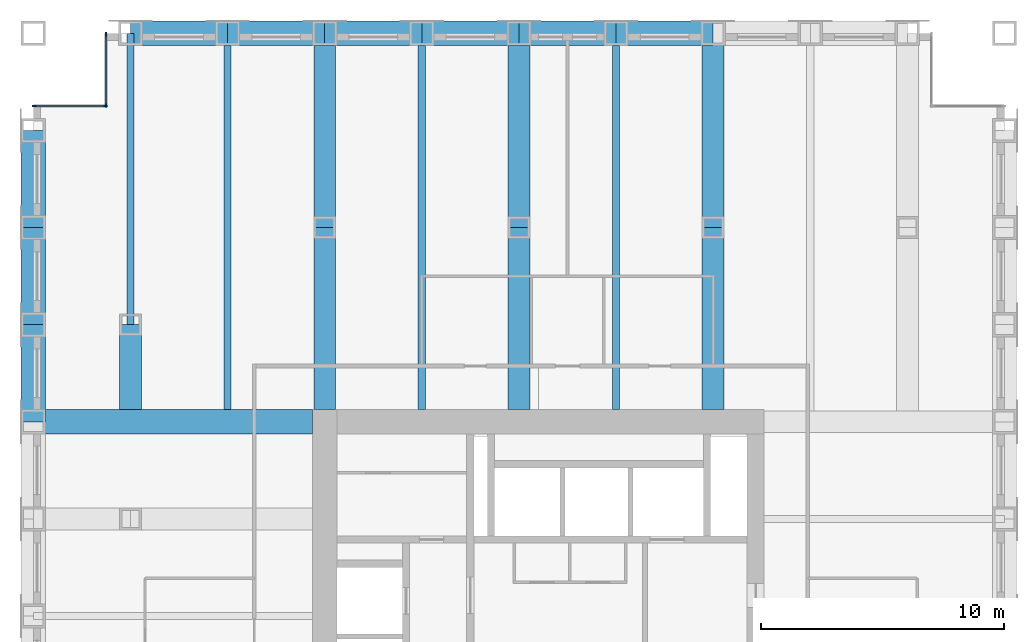
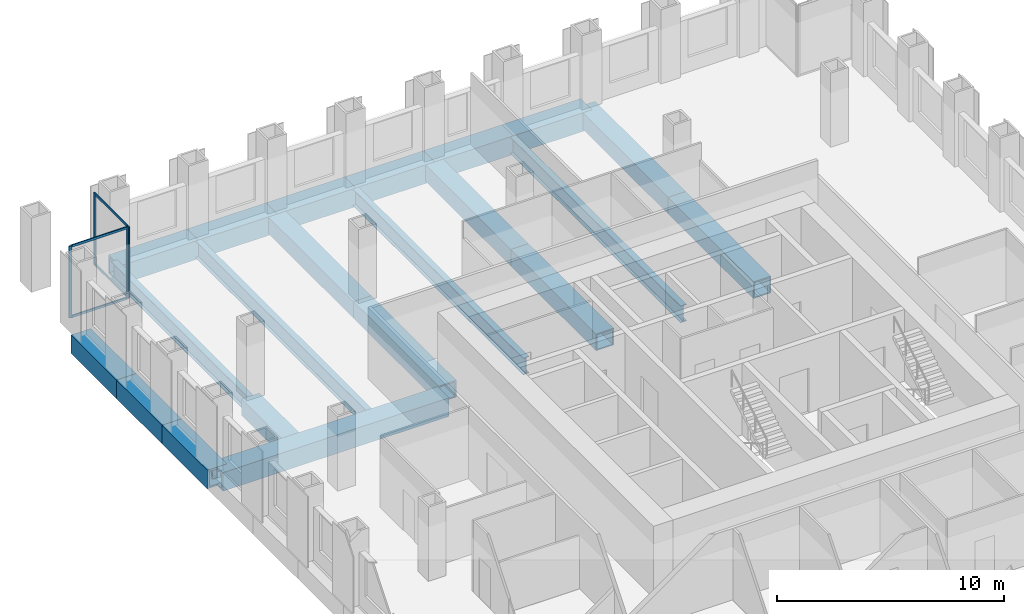
# One storey, part 5 of 12: 21 beams, 8 members, 2 elements without a shape of their own.
"""IFC4 building model written with IfcOpenShell, lengths in metres."""

from ifc_helpers import new_model, si_unit, direction, frame, origin, origin_2d, place, context, subcontext, project, spatial, rectangle, hollow_rectangle, i_section, extrude, material, material_profile, profile_set, type_object, element, aggregate, save


model = new_model("IFC4")

# Units and contexts
model_context = context("Model", 3, precision=1e-05, world=origin(), true_north=direction((0.0, 1.0)))
body_context = subcontext(model_context, "Body", "Model", "MODEL_VIEW")
ifc_project = project(units=[si_unit("LENGTHUNIT", "METRE"), si_unit("AREAUNIT", "SQUARE_METRE"), si_unit("VOLUMEUNIT", "CUBIC_METRE"), si_unit("PLANEANGLEUNIT", "RADIAN"), si_unit("MASSUNIT", "GRAM", prefix="KILO")], contexts=[model_context])

# Site, building, storey
site_placement = place(None, origin())
site = spatial("IfcSite", under=ifc_project, at=site_placement, CompositionType="ELEMENT")
building_placement = place(site_placement, origin())
building = spatial("IfcBuilding", under=site, at=building_placement, Name="Rimbunsela Tower", CompositionType="ELEMENT")
storey_placement = place(building_placement, frame((0.0, 0.0, 147.800048828125)))
storey = spatial("IfcBuildingStorey", under=building, at=storey_placement, Name="L35", CompositionType="ELEMENT", Elevation=147.800048828125)

# Beams
ifc_material_1 = material(Name="Steel BJ 55 (fy 410 MPa)", Category="steel")
ifc_material_profile_1 = material_profile(ifc_material_1, hollow_rectangle(XDim=1.0, YDim=1.0, WallThickness=0.10009765625, at=origin_2d()), Name="BOX 1000x1000x100")
ifc_profile_set_1 = profile_set([ifc_material_profile_1], Name="Steel BJ 55 (fy 410 MPa)")
beam_type_1 = type_object("IfcBeamType", Name="Beam BOX 1000x1000x100", PredefinedType="BEAM", material=ifc_profile_set_1)
beam_1_placement = place(storey_placement, frame((6.0, 36.0, -0.650146484375), z_axis=(0.0, 1.0, 0.0), x_axis=(-1.0, 0.0, 0.0)))
element("IfcBeam", 1, at=beam_1_placement, inside=storey, type_object=beam_type_1, Name="Beam B3 L35", PredefinedType="BEAM", context=body_context, shape_type="SweptSolid", body=[
    extrude(hollow_rectangle(XDim=1.0, YDim=1.0, WallThickness=0.10009765625, at=origin_2d()), origin(), (0.0, 0.0, 1.0), 4.0),
])
beam_2_placement = place(storey_placement, frame((6.0, 36.0, -0.650146484375), z_axis=(1.0, 0.0, 0.0), x_axis=(0.0, 1.0, 0.0)))
element("IfcBeam", 2, at=beam_2_placement, inside=storey, type_object=beam_type_1, Name="Beam B3 L35", PredefinedType="BEAM", context=body_context, shape_type="SweptSolid", body=[
    extrude(hollow_rectangle(XDim=1.0, YDim=1.0, WallThickness=0.10009765625, at=origin_2d()), origin(), (0.0, 0.0, 1.0), 11.5),
])
for number, where, z_axis, x_axis, name in (
    (3, (6.0, 40.0, -0.650146484375), (0.0, 1.0, 0.0), (-1.0, 0.0, 0.0), "Beam B3 L35"),
    (4, (6.0, 44.0, -0.650146484375), (0.0, 1.0, 0.0), (-1.0, 0.0, 0.0), "Beam B3 L35"),
    (5, (10.0, 52.0, -0.650146484375), (1.0, 0.0, 0.0), (0.0, 1.0, 0.0), "Beam B3 L35"),
    (6, (14.0, 52.0, -0.650146484375), (1.0, 0.0, 0.0), (0.0, 1.0, 0.0), "Beam B3 L35"),
    (7, (18.0, 52.0, -0.650146484375), (1.0, 0.0, 0.0), (0.0, 1.0, 0.0), "Beam B3 L35"),
    (8, (22.0, 52.0, -0.650146484375), (1.0, 0.0, 0.0), (0.0, 1.0, 0.0), "Beam B3 L35"),
    (9, (26.0, 52.0, -0.650146484375), (1.0, 0.0, 0.0), (0.0, 1.0, 0.0), "Beam B3 L35"),
    (10, (30.0, 52.0, -0.650146484375), (1.0, 0.0, 0.0), (0.0, 1.0, 0.0), "Beam B3 L35"),
):
    element("IfcBeam", number, at=place(storey_placement, frame(where, z_axis=z_axis, x_axis=x_axis)), inside=storey, type_object=beam_type_1, Name=name, PredefinedType="BEAM", context=body_context, shape_type="SweptSolid", body=[
        extrude(hollow_rectangle(XDim=1.0, YDim=1.0, WallThickness=0.10009765625, at=origin_2d()), origin(), (0.0, 0.0, 1.0), 4.0),
    ])
ifc_material_2 = material(Name="Steel BJ 55 (fy 410 MPa)", Category="steel")
ifc_material_profile_2 = material_profile(ifc_material_2, hollow_rectangle(XDim=0.89990234375, YDim=0.89990234375, WallThickness=0.06005859375, at=origin_2d()), Name="BOX 900x900x60")
ifc_profile_set_2 = profile_set([ifc_material_profile_2], Name="Steel BJ 55 (fy 410 MPa)")
beam_type_2 = type_object("IfcBeamType", Name="Beam BOX 900x900x60", PredefinedType="BEAM", material=ifc_profile_set_2)
beam_3_placement = place(storey_placement, frame((10.0, 36.5, -0.60009765625), z_axis=(0.0, 1.0, 0.0), x_axis=(-1.0, 0.0, 0.0)))
element("IfcBeam", 11, at=beam_3_placement, inside=storey, type_object=beam_type_2, Name="Beam B1 L35", PredefinedType="BEAM", context=body_context, shape_type="SweptSolid", body=[
    extrude(hollow_rectangle(XDim=0.89990234375, YDim=0.89990234375, WallThickness=0.06005859375, at=origin_2d()), origin(), (0.0, 0.0, 1.0), 3.5),
])
beam_4_placement = place(storey_placement, frame((18.0, 36.5, -0.60009765625), z_axis=(0.0, 1.0, 0.0), x_axis=(-1.0, 0.0, 0.0)))
element("IfcBeam", 12, at=beam_4_placement, inside=storey, type_object=beam_type_2, Name="Beam B1 L35", PredefinedType="BEAM", context=body_context, shape_type="SweptSolid", body=[
    extrude(hollow_rectangle(XDim=0.89990234375, YDim=0.89990234375, WallThickness=0.06005859375, at=origin_2d()), origin(), (0.0, 0.0, 1.0), 7.5),
])
beam_5_placement = place(storey_placement, frame((18.0, 44.0, -0.60009765625), z_axis=(0.0, 1.0, 0.0), x_axis=(-1.0, 0.0, 0.0)))
element("IfcBeam", 13, at=beam_5_placement, inside=storey, type_object=beam_type_2, Name="Beam B1 L35", PredefinedType="BEAM", context=body_context, shape_type="SweptSolid", body=[
    extrude(hollow_rectangle(XDim=0.89990234375, YDim=0.89990234375, WallThickness=0.06005859375, at=origin_2d()), origin(), (0.0, 0.0, 1.0), 8.0),
])
beam_6_placement = place(storey_placement, frame((26.0, 36.5, -0.60009765625), z_axis=(0.0, 1.0, 0.0), x_axis=(-1.0, 0.0, 0.0)))
element("IfcBeam", 14, at=beam_6_placement, inside=storey, type_object=beam_type_2, Name="Beam B1 L35", PredefinedType="BEAM", context=body_context, shape_type="SweptSolid", body=[
    extrude(hollow_rectangle(XDim=0.89990234375, YDim=0.89990234375, WallThickness=0.06005859375, at=origin_2d()), origin(), (0.0, 0.0, 1.0), 7.5),
])
beam_7_placement = place(storey_placement, frame((26.0, 44.0, -0.60009765625), z_axis=(0.0, 1.0, 0.0), x_axis=(-1.0, 0.0, 0.0)))
element("IfcBeam", 15, at=beam_7_placement, inside=storey, type_object=beam_type_2, Name="Beam B1 L35", PredefinedType="BEAM", context=body_context, shape_type="SweptSolid", body=[
    extrude(hollow_rectangle(XDim=0.89990234375, YDim=0.89990234375, WallThickness=0.06005859375, at=origin_2d()), origin(), (0.0, 0.0, 1.0), 8.0),
])
beam_8_placement = place(storey_placement, frame((34.0, 36.5, -0.60009765625), z_axis=(0.0, 1.0, 0.0), x_axis=(-1.0, 0.0, 0.0)))
element("IfcBeam", 16, at=beam_8_placement, inside=storey, type_object=beam_type_2, Name="Beam B1 L35", PredefinedType="BEAM", context=body_context, shape_type="SweptSolid", body=[
    extrude(hollow_rectangle(XDim=0.89990234375, YDim=0.89990234375, WallThickness=0.06005859375, at=origin_2d()), origin(), (0.0, 0.0, 1.0), 7.5),
])
beam_9_placement = place(storey_placement, frame((34.0, 44.0, -0.60009765625), z_axis=(0.0, 1.0, 0.0), x_axis=(-1.0, 0.0, 0.0)))
element("IfcBeam", 17, at=beam_9_placement, inside=storey, type_object=beam_type_2, Name="Beam B1 L35", PredefinedType="BEAM", context=body_context, shape_type="SweptSolid", body=[
    extrude(hollow_rectangle(XDim=0.89990234375, YDim=0.89990234375, WallThickness=0.06005859375, at=origin_2d()), origin(), (0.0, 0.0, 1.0), 8.0),
])
ifc_material_3 = material(Name="Steel BJ 55 (fy 410 MPa)", Category="steel")
ifc_material_profile_3 = material_profile(ifc_material_3, i_section(OverallWidth=0.300048828125, OverallDepth=0.89990234375, WebThickness=0.01611328125, FlangeThickness=0.028076171875, FilletRadius=0.028076171875, at=origin_2d()), Name="H 900x300x16x28")
ifc_profile_set_3 = profile_set([ifc_material_profile_3], Name="Steel BJ 55 (fy 410 MPa)")
beam_type_3 = type_object("IfcBeamType", Name="Beam H 900x300x16x28", PredefinedType="BEAM", material=ifc_profile_set_3)
beam_10_placement = place(storey_placement, frame((10.0, 40.0, -0.60009765625), z_axis=(0.0, 1.0, 0.0), x_axis=(-1.0, 0.0, 0.0)))
element("IfcBeam", 18, at=beam_10_placement, inside=storey, type_object=beam_type_3, Name="Beam B2 L35", PredefinedType="BEAM", context=body_context, shape_type="SweptSolid", body=[
    extrude(i_section(OverallWidth=0.300048828125, OverallDepth=0.89990234375, WebThickness=0.01611328125, FlangeThickness=0.028076171875, FilletRadius=0.028076171875, at=origin_2d()), origin(), (0.0, 0.0, 1.0), 12.0),
])
for number, where, z_axis, x_axis, name in (
    (19, (14.0, 36.5, -0.60009765625), (0.0, 1.0, 0.0), (-1.0, 0.0, 0.0), "Beam B2 L35"),
    (20, (22.0, 36.5, -0.60009765625), (0.0, 1.0, 0.0), (-1.0, 0.0, 0.0), "Beam B2 L35"),
    (21, (30.0, 36.5, -0.60009765625), (0.0, 1.0, 0.0), (-1.0, 0.0, 0.0), "Beam B2 L35"),
):
    element("IfcBeam", number, at=place(storey_placement, frame(where, z_axis=z_axis, x_axis=x_axis)), inside=storey, type_object=beam_type_3, Name=name, PredefinedType="BEAM", context=body_context, shape_type="SweptSolid", body=[
        extrude(i_section(OverallWidth=0.300048828125, OverallDepth=0.89990234375, WebThickness=0.01611328125, FlangeThickness=0.028076171875, FilletRadius=0.028076171875, at=origin_2d()), origin(), (0.0, 0.0, 1.0), 15.5),
    ])

# Curtain wall, members
ifc_material_4 = material(Name="Aluminium curtain wall", Category="aluminium")
curtain_wall_type = type_object("IfcCurtainWallType", Name="Corner glazing", PredefinedType="USERDEFINED", material=ifc_material_4)
curtain_wall_1_placement = place(storey_placement, origin())
curtain_wall_1 = element("IfcCurtainWall", 22, at=curtain_wall_1_placement, inside=storey, type_object=curtain_wall_type, Name="Corner glazing L35", ObjectType="CORNER GLAZING", PredefinedType="USERDEFINED")
ifc_material_5 = material(Name="Aluminium mullion", Category="aluminium")
ifc_material_profile_4 = material_profile(ifc_material_5, rectangle(XDim=0.06005859375, YDim=0.159912109375, at=origin_2d()), Name="Mullion 60x160")
ifc_profile_set_4 = profile_set([ifc_material_profile_4], Name="Aluminium mullion")
member_type_1 = type_object("IfcMemberType", Name="Curtain wall mullion 60x160", PredefinedType="MULLION", material=ifc_profile_set_4)
member_1_placement = place(storey_placement, frame((9.0, 51.969970703125, 0.0), z_axis=(0.0, 0.0, 1.0), x_axis=(1.0, 0.0, 0.0)))
member_1 = element("IfcMember", 23, at=member_1_placement, type_object=member_type_1, Name="CW5 mullion 1", PredefinedType="MULLION", context=body_context, shape_type="SweptSolid", body=[
    extrude(rectangle(XDim=0.06005859375, YDim=0.159912109375, at=origin_2d()), origin(), (0.0, 0.0, 1.0), 3.849853515625),
])
member_2_placement = place(storey_placement, frame((9.0, 49.030029296875, 0.0), z_axis=(0.0, 0.0, 1.0), x_axis=(1.0, 0.0, 0.0)))
member_2 = element("IfcMember", 24, at=member_2_placement, type_object=member_type_1, Name="CW5 mullion 2", PredefinedType="MULLION", context=body_context, shape_type="SweptSolid", body=[
    extrude(rectangle(XDim=0.06005859375, YDim=0.159912109375, at=origin_2d()), origin(), (0.0, 0.0, 1.0), 3.849853515625),
])

curtain_wall_2_placement = place(storey_placement, origin())
curtain_wall_2 = element("IfcCurtainWall", 25, at=curtain_wall_2_placement, inside=storey, type_object=curtain_wall_type, Name="Corner glazing L35", ObjectType="CORNER GLAZING", PredefinedType="USERDEFINED")
member_3_placement = place(storey_placement, frame((8.969970703125, 49.0, 0.0), z_axis=(0.0, 0.0, 1.0), x_axis=(0.0, -1.0, 0.0)))
member_3 = element("IfcMember", 26, at=member_3_placement, type_object=member_type_1, Name="CW5 mullion 1", PredefinedType="MULLION", context=body_context, shape_type="SweptSolid", body=[
    extrude(rectangle(XDim=0.06005859375, YDim=0.159912109375, at=origin_2d()), origin(), (0.0, 0.0, 1.0), 3.849853515625),
])
member_4_placement = place(storey_placement, frame((6.030029296875, 49.0, 0.0), z_axis=(0.0, 0.0, 1.0), x_axis=(0.0, -1.0, 0.0)))
member_4 = element("IfcMember", 27, at=member_4_placement, type_object=member_type_1, Name="CW5 mullion 2", PredefinedType="MULLION", context=body_context, shape_type="SweptSolid", body=[
    extrude(rectangle(XDim=0.06005859375, YDim=0.159912109375, at=origin_2d()), origin(), (0.0, 0.0, 1.0), 3.849853515625),
])

# Member
ifc_material_6 = material(Name="Aluminium transom", Category="aluminium")
ifc_material_profile_5 = material_profile(ifc_material_6, rectangle(XDim=0.06005859375, YDim=0.1201171875, at=origin_2d()), Name="Transom 60x120")
ifc_profile_set_5 = profile_set([ifc_material_profile_5], Name="Aluminium transom")
member_type_2 = type_object("IfcMemberType", Name="Curtain wall transom 60x120", PredefinedType="USERDEFINED", material=ifc_profile_set_5)
member_5_placement = place(storey_placement, frame((9.0, 51.93994140625, 0.030029296875), z_axis=(0.0, -1.0, 0.0), x_axis=(1.0, 0.0, 0.0)))
member_5 = element("IfcMember", 28, at=member_5_placement, type_object=member_type_2, Name="CW5 transom 1.1", ObjectType="TRANSOM", PredefinedType="USERDEFINED", context=body_context, shape_type="SweptSolid", body=[
    extrude(rectangle(XDim=0.06005859375, YDim=0.1201171875, at=origin_2d()), origin(), (0.0, 0.0, 1.0), 2.8798828125),
])

member_6_placement = place(storey_placement, frame((9.0, 51.93994140625, 3.820068359375), z_axis=(0.0, -1.0, 0.0), x_axis=(1.0, 0.0, 0.0)))
member_6 = element("IfcMember", 29, at=member_6_placement, type_object=member_type_2, Name="CW5 transom 1.2", ObjectType="TRANSOM", PredefinedType="USERDEFINED", context=body_context, shape_type="SweptSolid", body=[
    extrude(rectangle(XDim=0.06005859375, YDim=0.1201171875, at=origin_2d()), origin(), (0.0, 0.0, 1.0), 2.8798828125),
])

aggregate(curtain_wall_1, [member_1, member_2, member_5, member_6])

member_7_placement = place(storey_placement, frame((8.93994140625, 49.0, 0.030029296875), z_axis=(-1.0, 0.0, 0.0), x_axis=(0.0, -1.0, 0.0)))
member_7 = element("IfcMember", 30, at=member_7_placement, type_object=member_type_2, Name="CW5 transom 1.1", ObjectType="TRANSOM", PredefinedType="USERDEFINED", context=body_context, shape_type="SweptSolid", body=[
    extrude(rectangle(XDim=0.06005859375, YDim=0.1201171875, at=origin_2d()), origin(), (0.0, 0.0, 1.0), 2.8798828125),
])

member_8_placement = place(storey_placement, frame((8.93994140625, 49.0, 3.820068359375), z_axis=(-1.0, 0.0, 0.0), x_axis=(0.0, -1.0, 0.0)))
member_8 = element("IfcMember", 31, at=member_8_placement, type_object=member_type_2, Name="CW5 transom 1.2", ObjectType="TRANSOM", PredefinedType="USERDEFINED", context=body_context, shape_type="SweptSolid", body=[
    extrude(rectangle(XDim=0.06005859375, YDim=0.1201171875, at=origin_2d()), origin(), (0.0, 0.0, 1.0), 2.8798828125),
])

aggregate(curtain_wall_2, [member_3, member_4, member_7, member_8])

save(model, "model.ifc")
